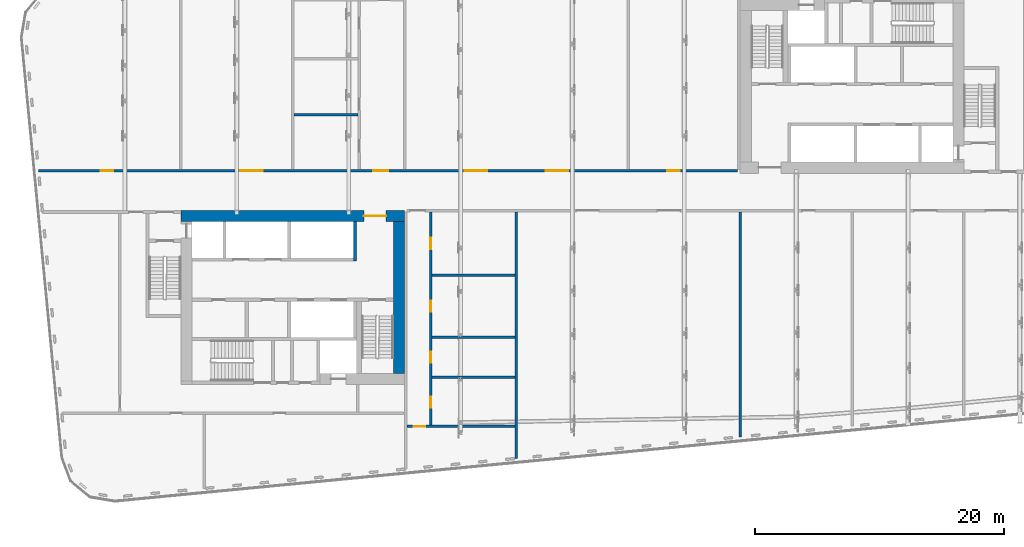
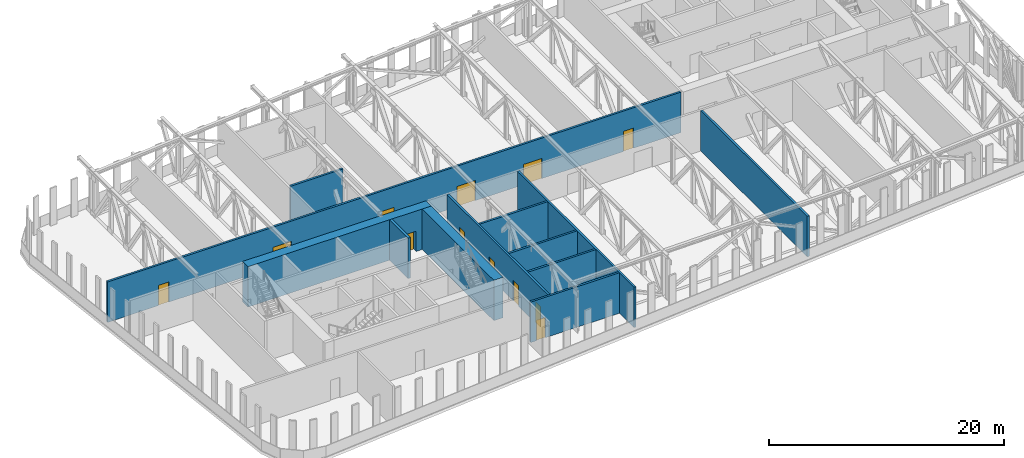
# One storey, part 9 of 26: 12 doors, 12 walls, 12 openings.
"""IFC4 building model written with IfcOpenShell, lengths in metres."""

from ifc_helpers import new_model, si_unit, direction, frame, frame_2d, origin, place, context, subcontext, project, spatial, rectangle, extrude, material, layer, layer_set, type_object, element, fill, save


model = new_model("IFC4")

# Units and contexts
model_context = context("Model", 3, precision=1e-05, world=origin(), true_north=direction((0.0, 1.0)))
body_context = subcontext(model_context, "Body", "Model", "MODEL_VIEW")
ifc_project = project(units=[si_unit("LENGTHUNIT", "METRE"), si_unit("AREAUNIT", "SQUARE_METRE"), si_unit("VOLUMEUNIT", "CUBIC_METRE"), si_unit("PLANEANGLEUNIT", "RADIAN"), si_unit("MASSUNIT", "GRAM", prefix="KILO")], contexts=[model_context])

# Site, building, storey
site_placement = place(None, origin())
site = spatial("IfcSite", under=ifc_project, at=site_placement, CompositionType="ELEMENT")
building_placement = place(site_placement, origin())
building = spatial("IfcBuilding", under=site, at=building_placement, Name="Kajstack Hotel Tower", CompositionType="ELEMENT")
storey_placement = place(building_placement, frame((0.0, 0.0, 206.5)))
storey = spatial("IfcBuildingStorey", under=building, at=storey_placement, Name="L50", CompositionType="ELEMENT", Elevation=206.5)

# Wall, opening, door
ifc_material_1 = material(Name="Concrete C60/75", Category="concrete")
ifc_layer_1 = layer(ifc_material_1, 0.89990234375)
ifc_layer_set_1 = layer_set([ifc_layer_1], Name="Core wall 900")
wall_type_1 = type_object("IfcWallType", Name="Core wall 900", PredefinedType="SHEAR", material=ifc_layer_set_1)
wall_1_placement = place(storey_placement, frame((-31.5, -1.949951171875, 0.0), z_axis=(0.0, 0.0, 1.0), x_axis=(1.0, 0.0, 0.0)))
wall_1 = element("IfcWall", 1, at=wall_1_placement, inside=storey, type_object=wall_type_1, Name="Core wall W RN", PredefinedType="SHEAR", context=body_context, shape_type="SweptSolid", body=[
    extrude(rectangle(XDim=18.0, YDim=0.89990234375, at=frame_2d((9.0, 0.0))), origin(), (0.0, 0.0, 1.0), 4.199951171875),
])
opening_1_placement = place(wall_1_placement, frame((14.72509765625, 0.0, 0.0)))
opening_1 = element("IfcOpeningElement", 2, at=opening_1_placement, cuts=wall_1, Name="Opening 50W07", PredefinedType="OPENING", context=body_context, shape_type="SweptSolid", body=[
    extrude(rectangle(XDim=1.800048828125, YDim=2.10009765625, at=frame_2d((0.89990234375, 1.050048828125))), frame((0.0, 0.4599609375, 0.0), z_axis=(0.0, -1.0, 0.0), x_axis=(1.0, 0.0, 0.0)), (0.0, 0.0, 1.0), 0.919921875),
])
ifc_material_2 = material(Name="Glazed steel frame, fire-rated glass", Category="steel")
door_type_1 = type_object("IfcDoorType", Name="Lobby double door 1800", OperationType="DOUBLE_DOOR_DOUBLE_SWING", PredefinedType="DOOR", material=ifc_material_2)
door_1_placement = place(opening_1_placement, origin())
door_1 = element("IfcDoor", 3, at=door_1_placement, inside=storey, type_object=door_type_1, Name="Door 50W07", OperationType="DOUBLE_DOOR_DOUBLE_SWING", OverallHeight=2.10009765625, OverallWidth=1.800048828125, PredefinedType="DOOR", context=body_context, shape_type="SweptSolid", body=[
    extrude(rectangle(XDim=1.800048828125, YDim=2.10009765625, at=frame_2d((0.89990234375, 1.050048828125))), frame((0.0, 0.02490234375, 0.0), z_axis=(0.0, -1.0, 0.0), x_axis=(1.0, 0.0, 0.0)), (0.0, 0.0, 1.0), 0.050048828125),
])
fill(opening_1, door_1)

# Walls
wall_2_placement = place(storey_placement, frame((-13.949951171875, -14.60009765625, 0.0), z_axis=(0.0, 0.0, 1.0), x_axis=(0.0, 1.0, 0.0)))
element("IfcWall", 4, at=wall_2_placement, inside=storey, type_object=wall_type_1, Name="Core wall W RE", PredefinedType="SHEAR", context=body_context, shape_type="SweptSolid", body=[
    extrude(rectangle(XDim=12.2001953125, YDim=0.89990234375, at=frame_2d((6.10009765625, 0.0))), origin(), (0.0, 0.0, 1.0), 4.199951171875),
])
ifc_material_3 = material(Name="Gypsum board on steel studs, mineral wool", Category="steel")
ifc_layer_2 = layer(ifc_material_3, 0.199951171875)
ifc_layer_set_2 = layer_set([ifc_layer_2], Name="Public partition 200")
wall_type_2 = type_object("IfcWallType", Name="Public partition 200", PredefinedType="PARTITIONING", material=ifc_layer_set_2)
wall_3_placement = place(storey_placement, frame((-22.39990234375, 6.199951171875, 0.0), z_axis=(0.0, 0.0, 1.0), x_axis=(1.0, 0.0, 0.0)))
element("IfcWall", 5, at=wall_3_placement, inside=storey, type_object=wall_type_2, Name="Partition C2wP0", PredefinedType="PARTITIONING", context=body_context, shape_type="SweptSolid", body=[
    extrude(rectangle(XDim=5.14990234375, YDim=0.199951171875, at=frame_2d((2.574951171875, 0.0))), origin(), (0.0, 0.0, 1.0), 4.199951171875),
])

# Wall, openings, doors
wall_4_placement = place(storey_placement, frame((-42.942138671875, 1.699951171875, 0.0), z_axis=(0.0, 0.0, 1.0), x_axis=(1.0, 0.0, 0.0)))
wall_4 = element("IfcWall", 6, at=wall_4_placement, inside=storey, type_object=wall_type_2, Name="Partition FW", PredefinedType="PARTITIONING", context=body_context, shape_type="SweptSolid", body=[
    extrude(rectangle(XDim=56.2421875, YDim=0.199951171875, at=frame_2d((28.12109375, 0.0))), origin(), (0.0, 0.0, 1.0), 4.199951171875),
])
opening_2_placement = place(wall_4_placement, frame((50.592041015625, 0.0, 0.0)))
opening_2 = element("IfcOpeningElement", 7, at=opening_2_placement, cuts=wall_4, Name="Opening 50P01", PredefinedType="OPENING", context=body_context, shape_type="SweptSolid", body=[
    extrude(rectangle(XDim=1.0, YDim=2.10009765625, at=frame_2d((0.5, 1.050048828125))), frame((0.0, 0.10986328125, 0.0), z_axis=(0.0, -1.0, 0.0), x_axis=(1.0, 0.0, 0.0)), (0.0, 0.0, 1.0), 0.219970703125),
])
opening_3_placement = place(wall_4_placement, frame((40.802001953125, 0.0, 0.0)))
opening_3 = element("IfcOpeningElement", 8, at=opening_3_placement, cuts=wall_4, Name="Opening 50P02", PredefinedType="OPENING", context=body_context, shape_type="SweptSolid", body=[
    extrude(rectangle(XDim=1.800048828125, YDim=2.10009765625, at=frame_2d((0.89990234375, 1.050048828125))), frame((0.0, 0.10986328125, 0.0), z_axis=(0.0, -1.0, 0.0), x_axis=(1.0, 0.0, 0.0)), (0.0, 0.0, 1.0), 0.219970703125),
])
opening_4_placement = place(wall_4_placement, frame((34.281982421875, 0.0, 0.0)))
opening_4 = element("IfcOpeningElement", 9, at=opening_4_placement, cuts=wall_4, Name="Opening 50P03", PredefinedType="OPENING", context=body_context, shape_type="SweptSolid", body=[
    extrude(rectangle(XDim=1.800048828125, YDim=2.10009765625, at=frame_2d((0.89990234375, 1.050048828125))), frame((0.0, 0.10986328125, 0.0), z_axis=(0.0, -1.0, 0.0), x_axis=(1.0, 0.0, 0.0)), (0.0, 0.0, 1.0), 0.219970703125),
])
opening_5_placement = place(wall_4_placement, frame((26.9169921875, 0.0, 0.0)))
opening_5 = element("IfcOpeningElement", 10, at=opening_5_placement, cuts=wall_4, Name="Opening 50P04", PredefinedType="OPENING", context=body_context, shape_type="SweptSolid", body=[
    extrude(rectangle(XDim=1.199951171875, YDim=2.10009765625, at=frame_2d((0.60009765625, 1.050048828125))), frame((0.0, 0.10986328125, 0.0), z_axis=(0.0, -1.0, 0.0), x_axis=(1.0, 0.0, 0.0)), (0.0, 0.0, 1.0), 0.219970703125),
])
opening_6_placement = place(wall_4_placement, frame((16.2421875, 0.0, 0.0)))
opening_6 = element("IfcOpeningElement", 11, at=opening_6_placement, cuts=wall_4, Name="Opening 50P09", PredefinedType="OPENING", context=body_context, shape_type="SweptSolid", body=[
    extrude(rectangle(XDim=1.800048828125, YDim=2.10009765625, at=frame_2d((0.89990234375, 1.050048828125))), frame((0.0, 0.10986328125, 0.0), z_axis=(0.0, -1.0, 0.0), x_axis=(1.0, 0.0, 0.0)), (0.0, 0.0, 1.0), 0.219970703125),
])
opening_7_placement = place(wall_4_placement, frame((5.007080078125, 0.0, 0.0)))
opening_7 = element("IfcOpeningElement", 12, at=opening_7_placement, cuts=wall_4, Name="Opening 50P10", PredefinedType="OPENING", context=body_context, shape_type="SweptSolid", body=[
    extrude(rectangle(XDim=1.0, YDim=2.10009765625, at=frame_2d((0.5, 1.050048828125))), frame((0.0, 0.10986328125, 0.0), z_axis=(0.0, -1.0, 0.0), x_axis=(1.0, 0.0, 0.0)), (0.0, 0.0, 1.0), 0.219970703125),
])
ifc_material_4 = material(Name="Timber leaf, fire-rated", Category="wood")
door_type_2 = type_object("IfcDoorType", Name="Public corridor door 1200", OperationType="SINGLE_SWING_LEFT", PredefinedType="DOOR", material=ifc_material_4)
door_2_placement = place(opening_5_placement, origin())
door_2 = element("IfcDoor", 13, at=door_2_placement, inside=storey, type_object=door_type_2, Name="Door 50P04", OperationType="SINGLE_SWING_LEFT", OverallHeight=2.10009765625, OverallWidth=1.199951171875, PredefinedType="DOOR", context=body_context, shape_type="SweptSolid", body=[
    extrude(rectangle(XDim=1.199951171875, YDim=2.10009765625, at=frame_2d((0.60009765625, 1.050048828125))), frame((0.0, 0.02490234375, 0.0), z_axis=(0.0, -1.0, 0.0), x_axis=(1.0, 0.0, 0.0)), (0.0, 0.0, 1.0), 0.050048828125),
])
fill(opening_5, door_2)
ifc_material_5 = material(Name="Glazed timber frame, fire-rated glass", Category="wood")
door_type_3 = type_object("IfcDoorType", Name="Public double door 1800", OperationType="DOUBLE_DOOR_DOUBLE_SWING", PredefinedType="DOOR", material=ifc_material_5)
door_3_placement = place(opening_3_placement, origin())
door_3 = element("IfcDoor", 14, at=door_3_placement, inside=storey, type_object=door_type_3, Name="Door 50P02", OperationType="DOUBLE_DOOR_DOUBLE_SWING", OverallHeight=2.10009765625, OverallWidth=1.800048828125, PredefinedType="DOOR", context=body_context, shape_type="SweptSolid", body=[
    extrude(rectangle(XDim=1.800048828125, YDim=2.10009765625, at=frame_2d((0.89990234375, 1.050048828125))), frame((0.0, 0.02490234375, 0.0), z_axis=(0.0, -1.0, 0.0), x_axis=(1.0, 0.0, 0.0)), (0.0, 0.0, 1.0), 0.050048828125),
])
fill(opening_3, door_3)
door_4_placement = place(opening_4_placement, origin())
door_4 = element("IfcDoor", 15, at=door_4_placement, inside=storey, type_object=door_type_3, Name="Door 50P03", OperationType="DOUBLE_DOOR_DOUBLE_SWING", OverallHeight=2.10009765625, OverallWidth=1.800048828125, PredefinedType="DOOR", context=body_context, shape_type="SweptSolid", body=[
    extrude(rectangle(XDim=1.800048828125, YDim=2.10009765625, at=frame_2d((0.89990234375, 1.050048828125))), frame((0.0, 0.02490234375, 0.0), z_axis=(0.0, -1.0, 0.0), x_axis=(1.0, 0.0, 0.0)), (0.0, 0.0, 1.0), 0.050048828125),
])
fill(opening_4, door_4)
door_5_placement = place(opening_6_placement, origin())
door_5 = element("IfcDoor", 16, at=door_5_placement, inside=storey, type_object=door_type_3, Name="Door 50P09", OperationType="DOUBLE_DOOR_DOUBLE_SWING", OverallHeight=2.10009765625, OverallWidth=1.800048828125, PredefinedType="DOOR", context=body_context, shape_type="SweptSolid", body=[
    extrude(rectangle(XDim=1.800048828125, YDim=2.10009765625, at=frame_2d((0.89990234375, 1.050048828125))), frame((0.0, 0.02490234375, 0.0), z_axis=(0.0, -1.0, 0.0), x_axis=(1.0, 0.0, 0.0)), (0.0, 0.0, 1.0), 0.050048828125),
])
fill(opening_6, door_5)
ifc_material_6 = material(Name="Timber leaf", Category="wood")
door_type_4 = type_object("IfcDoorType", Name="Public room door 1000", OperationType="SINGLE_SWING_LEFT", PredefinedType="DOOR", material=ifc_material_6)
door_6_placement = place(opening_2_placement, origin())
door_6 = element("IfcDoor", 17, at=door_6_placement, inside=storey, type_object=door_type_4, Name="Door 50P01", OperationType="SINGLE_SWING_LEFT", OverallHeight=2.10009765625, OverallWidth=1.0, PredefinedType="DOOR", context=body_context, shape_type="SweptSolid", body=[
    extrude(rectangle(XDim=1.0, YDim=2.10009765625, at=frame_2d((0.5, 1.050048828125))), frame((0.0, 0.02490234375, 0.0), z_axis=(0.0, -1.0, 0.0), x_axis=(1.0, 0.0, 0.0)), (0.0, 0.0, 1.0), 0.050048828125),
])
fill(opening_2, door_6)
door_7_placement = place(opening_7_placement, origin())
door_7 = element("IfcDoor", 18, at=door_7_placement, inside=storey, type_object=door_type_4, Name="Door 50P10", OperationType="SINGLE_SWING_LEFT", OverallHeight=2.10009765625, OverallWidth=1.0, PredefinedType="DOOR", context=body_context, shape_type="SweptSolid", body=[
    extrude(rectangle(XDim=1.0, YDim=2.10009765625, at=frame_2d((0.5, 1.050048828125))), frame((0.0, 0.02490234375, 0.0), z_axis=(0.0, -1.0, 0.0), x_axis=(1.0, 0.0, 0.0)), (0.0, 0.0, 1.0), 0.050048828125),
])
fill(opening_7, door_7)

wall_5_placement = place(storey_placement, frame((-11.39990234375, -18.762451171875, 0.0), z_axis=(0.0, 0.0, 1.0), x_axis=(0.0, 1.0, 0.0)))
wall_5 = element("IfcWall", 19, at=wall_5_placement, inside=storey, type_object=wall_type_2, Name="Partition SC0CW", PredefinedType="PARTITIONING", context=body_context, shape_type="SweptSolid", body=[
    extrude(rectangle(XDim=17.162353515625, YDim=0.199951171875, at=frame_2d((8.5810546875, 0.0))), origin(), (0.0, 0.0, 1.0), 4.199951171875),
])
opening_8_placement = place(wall_5_placement, frame((14.162353515625, 0.0, 0.0)))
opening_8 = element("IfcOpeningElement", 20, at=opening_8_placement, cuts=wall_5, Name="Opening 50P12", PredefinedType="OPENING", context=body_context, shape_type="SweptSolid", body=[
    extrude(rectangle(XDim=0.89990234375, YDim=2.10009765625, at=frame_2d((0.449951171875, 1.050048828125))), frame((0.0, 0.10986328125, 0.0), z_axis=(0.0, -1.0, 0.0), x_axis=(1.0, 0.0, 0.0)), (0.0, 0.0, 1.0), 0.219970703125),
])
opening_9_placement = place(wall_5_placement, frame((9.1123046875, 0.0, 0.0)))
opening_9 = element("IfcOpeningElement", 21, at=opening_9_placement, cuts=wall_5, Name="Opening 50P13", PredefinedType="OPENING", context=body_context, shape_type="SweptSolid", body=[
    extrude(rectangle(XDim=0.89990234375, YDim=2.10009765625, at=frame_2d((0.449951171875, 1.050048828125))), frame((0.0, 0.10986328125, 0.0), z_axis=(0.0, -1.0, 0.0), x_axis=(1.0, 0.0, 0.0)), (0.0, 0.0, 1.0), 0.219970703125),
])
opening_10_placement = place(wall_5_placement, frame((5.012451171875, 0.0, 0.0)))
opening_10 = element("IfcOpeningElement", 22, at=opening_10_placement, cuts=wall_5, Name="Opening 50P14", PredefinedType="OPENING", context=body_context, shape_type="SweptSolid", body=[
    extrude(rectangle(XDim=0.89990234375, YDim=2.10009765625, at=frame_2d((0.449951171875, 1.050048828125))), frame((0.0, 0.10986328125, 0.0), z_axis=(0.0, -1.0, 0.0), x_axis=(1.0, 0.0, 0.0)), (0.0, 0.0, 1.0), 0.219970703125),
])
opening_11_placement = place(wall_5_placement, frame((1.38134765625, 0.0, 0.0)))
opening_11 = element("IfcOpeningElement", 23, at=opening_11_placement, cuts=wall_5, Name="Opening 50P15", PredefinedType="OPENING", context=body_context, shape_type="SweptSolid", body=[
    extrude(rectangle(XDim=0.89990234375, YDim=2.10009765625, at=frame_2d((0.449951171875, 1.050048828125))), frame((0.0, 0.10986328125, 0.0), z_axis=(0.0, -1.0, 0.0), x_axis=(1.0, 0.0, 0.0)), (0.0, 0.0, 1.0), 0.219970703125),
])
door_type_5 = type_object("IfcDoorType", Name="Public room door 900", OperationType="SINGLE_SWING_LEFT", PredefinedType="DOOR", material=ifc_material_6)
door_8_placement = place(opening_8_placement, origin())
door_8 = element("IfcDoor", 24, at=door_8_placement, inside=storey, type_object=door_type_5, Name="Door 50P12", OperationType="SINGLE_SWING_RIGHT", OverallHeight=2.10009765625, OverallWidth=0.89990234375, PredefinedType="DOOR", context=body_context, shape_type="SweptSolid", body=[
    extrude(rectangle(XDim=0.89990234375, YDim=2.10009765625, at=frame_2d((0.449951171875, 1.050048828125))), frame((0.0, 0.02490234375, 0.0), z_axis=(0.0, -1.0, 0.0), x_axis=(1.0, 0.0, 0.0)), (0.0, 0.0, 1.0), 0.050048828125),
])
fill(opening_8, door_8)
door_9_placement = place(opening_9_placement, origin())
door_9 = element("IfcDoor", 25, at=door_9_placement, inside=storey, type_object=door_type_5, Name="Door 50P13", OperationType="SINGLE_SWING_RIGHT", OverallHeight=2.10009765625, OverallWidth=0.89990234375, PredefinedType="DOOR", context=body_context, shape_type="SweptSolid", body=[
    extrude(rectangle(XDim=0.89990234375, YDim=2.10009765625, at=frame_2d((0.449951171875, 1.050048828125))), frame((0.0, 0.02490234375, 0.0), z_axis=(0.0, -1.0, 0.0), x_axis=(1.0, 0.0, 0.0)), (0.0, 0.0, 1.0), 0.050048828125),
])
fill(opening_9, door_9)
door_10_placement = place(opening_10_placement, origin())
door_10 = element("IfcDoor", 26, at=door_10_placement, inside=storey, type_object=door_type_5, Name="Door 50P14", OperationType="SINGLE_SWING_RIGHT", OverallHeight=2.10009765625, OverallWidth=0.89990234375, PredefinedType="DOOR", context=body_context, shape_type="SweptSolid", body=[
    extrude(rectangle(XDim=0.89990234375, YDim=2.10009765625, at=frame_2d((0.449951171875, 1.050048828125))), frame((0.0, 0.02490234375, 0.0), z_axis=(0.0, -1.0, 0.0), x_axis=(1.0, 0.0, 0.0)), (0.0, 0.0, 1.0), 0.050048828125),
])
fill(opening_10, door_10)
door_11_placement = place(opening_11_placement, origin())
door_11 = element("IfcDoor", 27, at=door_11_placement, inside=storey, type_object=door_type_5, Name="Door 50P15", OperationType="SINGLE_SWING_RIGHT", OverallHeight=2.10009765625, OverallWidth=0.89990234375, PredefinedType="DOOR", context=body_context, shape_type="SweptSolid", body=[
    extrude(rectangle(XDim=0.89990234375, YDim=2.10009765625, at=frame_2d((0.449951171875, 1.050048828125))), frame((0.0, 0.02490234375, 0.0), z_axis=(0.0, -1.0, 0.0), x_axis=(1.0, 0.0, 0.0)), (0.0, 0.0, 1.0), 0.050048828125),
])
fill(opening_11, door_11)

# Walls
for number, where, z_axis, x_axis, name in (
    (28, (-11.300048828125, -6.699951171875, 0.0), (0.0, 0.0, 1.0), (1.0, 0.0, 0.0), "Partition SC0wP0"),
    (29, (-11.300048828125, -11.699951171875, 0.0), (0.0, 0.0, 1.0), (1.0, 0.0, 0.0), "Partition SC0wP1"),
    (30, (-11.300048828125, -14.89990234375, 0.0), (0.0, 0.0, 1.0), (1.0, 0.0, 0.0), "Partition SC0wP2"),
):
    element("IfcWall", number, at=place(storey_placement, frame(where, z_axis=z_axis, x_axis=x_axis)), inside=storey, type_object=wall_type_2, Name=name, PredefinedType="PARTITIONING", context=body_context, shape_type="SweptSolid", body=[
        extrude(rectangle(XDim=6.699951171875, YDim=0.199951171875, at=frame_2d((3.35009765625, 0.0))), origin(), (0.0, 0.0, 1.0), 4.199951171875),
    ])

# Wall, opening, door
wall_6_placement = place(storey_placement, frame((-13.300048828125, -18.8623046875, 0.0), z_axis=(0.0, 0.0, 1.0), x_axis=(1.0, 0.0, 0.0)))
wall_6 = element("IfcWall", 31, at=wall_6_placement, inside=storey, type_object=wall_type_2, Name="Partition SC0BW", PredefinedType="PARTITIONING", context=body_context, shape_type="SweptSolid", body=[
    extrude(rectangle(XDim=8.699951171875, YDim=0.199951171875, at=frame_2d((4.35009765625, 0.0))), origin(), (0.0, 0.0, 1.0), 4.199951171875),
])
opening_12_placement = place(wall_6_placement, frame((0.550048828125, 0.0, 0.0)))
opening_12 = element("IfcOpeningElement", 32, at=opening_12_placement, cuts=wall_6, Name="Opening 50P16", PredefinedType="OPENING", context=body_context, shape_type="SweptSolid", body=[
    extrude(rectangle(XDim=0.89990234375, YDim=2.10009765625, at=frame_2d((0.449951171875, 1.050048828125))), frame((0.0, 0.10986328125, 0.0), z_axis=(0.0, -1.0, 0.0), x_axis=(1.0, 0.0, 0.0)), (0.0, 0.0, 1.0), 0.219970703125),
])
door_12_placement = place(opening_12_placement, origin())
door_12 = element("IfcDoor", 33, at=door_12_placement, inside=storey, type_object=door_type_5, Name="Door 50P16", OperationType="SINGLE_SWING_RIGHT", OverallHeight=2.10009765625, OverallWidth=0.89990234375, PredefinedType="DOOR", context=body_context, shape_type="SweptSolid", body=[
    extrude(rectangle(XDim=0.89990234375, YDim=2.10009765625, at=frame_2d((0.449951171875, 1.050048828125))), frame((0.0, 0.02490234375, 0.0), z_axis=(0.0, -1.0, 0.0), x_axis=(1.0, 0.0, 0.0)), (0.0, 0.0, 1.0), 0.050048828125),
])
fill(opening_12, door_12)

# Walls
wall_7_placement = place(storey_placement, frame((-4.5, -21.433837890625, 0.0), z_axis=(0.0, 0.0, 1.0), x_axis=(0.0, 1.0, 0.0)))
element("IfcWall", 34, at=wall_7_placement, inside=storey, type_object=wall_type_2, Name="Partition SPX0", PredefinedType="PARTITIONING", context=body_context, shape_type="SweptSolid", body=[
    extrude(rectangle(XDim=19.833740234375, YDim=0.199951171875, at=frame_2d((9.9169921875, 0.0))), origin(), (0.0, 0.0, 1.0), 4.199951171875),
])
wall_8_placement = place(storey_placement, frame((13.5, -19.70068359375, 0.0), z_axis=(0.0, 0.0, 1.0), x_axis=(0.0, 1.0, 0.0)))
element("IfcWall", 35, at=wall_8_placement, inside=storey, type_object=wall_type_2, Name="Partition SPX1", PredefinedType="PARTITIONING", context=body_context, shape_type="SweptSolid", body=[
    extrude(rectangle(XDim=18.1005859375, YDim=0.199951171875, at=frame_2d((9.05029296875, 0.0))), origin(), (0.0, 0.0, 1.0), 4.199951171875),
])
ifc_material_7 = material(Name="Concrete C50/60", Category="concrete")
ifc_layer_3 = layer(ifc_material_7, 0.25)
ifc_layer_set_3 = layer_set([ifc_layer_3], Name="Shaft wall 250")
wall_type_3 = type_object("IfcWallType", Name="Shaft wall 250", PredefinedType="SHEAR", material=ifc_layer_set_3)
wall_9_placement = place(storey_placement, frame((-17.47509765625, -5.550048828125, 0.0), z_axis=(0.0, 0.0, 1.0), x_axis=(0.0, 1.0, 0.0)))
element("IfcWall", 36, at=wall_9_placement, inside=storey, type_object=wall_type_3, Name="Core wall W AE", PredefinedType="SHEAR", context=body_context, shape_type="SweptSolid", body=[
    extrude(rectangle(XDim=3.150146484375, YDim=0.25, at=frame_2d((1.5751953125, 0.0))), origin(), (0.0, 0.0, 1.0), 4.199951171875),
])

save(model, "model.ifc")
